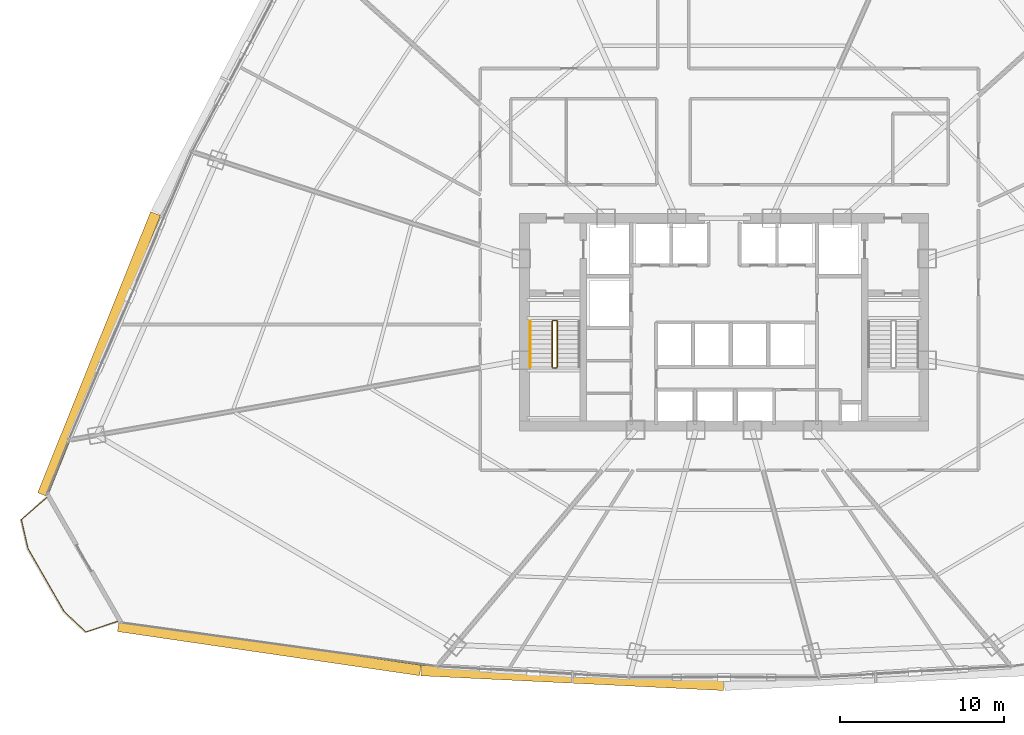
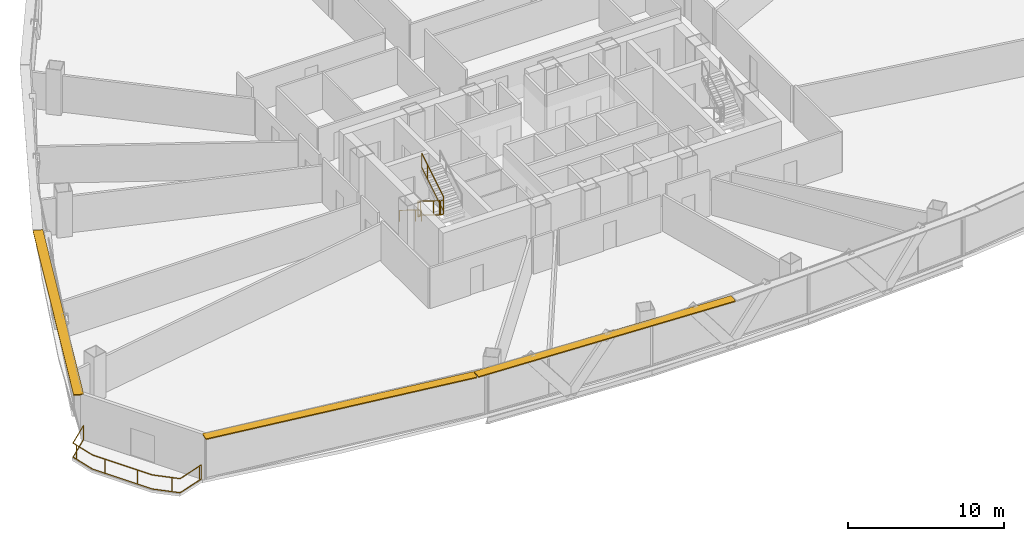
# One storey, part 33 of 36: 6 railings, 3 shading devices.
"""IFC4 building model written with IfcOpenShell, lengths in metres."""

from ifc_helpers import new_model, si_unit, direction, frame, origin, origin_2d, place, context, subcontext, project, spatial, rectangle, extrude, source, transform, mapped, material, layer, layer_set, type_object, element, save


model = new_model("IFC4")

# Units and contexts
model_context = context("Model", 3, precision=1e-05, world=origin(), true_north=direction((0.0, 1.0)))
body_context = subcontext(model_context, "Body", "Model", "MODEL_VIEW")
ifc_project = project(units=[si_unit("LENGTHUNIT", "METRE"), si_unit("AREAUNIT", "SQUARE_METRE"), si_unit("VOLUMEUNIT", "CUBIC_METRE"), si_unit("PLANEANGLEUNIT", "RADIAN"), si_unit("MASSUNIT", "GRAM", prefix="KILO"), si_unit("THERMODYNAMICTEMPERATUREUNIT", "KELVIN"), si_unit("POWERUNIT", "WATT")], contexts=[model_context])

# Site, building, storey
site_placement = place(None, origin())
site = spatial("IfcSite", under=ifc_project, at=site_placement, CompositionType="ELEMENT")
building_placement = place(site_placement, origin())
building = spatial("IfcBuilding", under=site, at=building_placement, Name="Yunzhuo Pagoda Commons", CompositionType="ELEMENT")
storey_placement = place(building_placement, frame((0.0, 0.0, 103.97998046875)))
storey = spatial("IfcBuildingStorey", under=building, at=storey_placement, Name="L26", CompositionType="ELEMENT", Elevation=103.97998046875)

# Railings
ifc_material = material(Name="Anodized aluminium 6063-T6", Category="aluminium")
railing_type_1 = type_object("IfcRailingType", Name="GR-ST1 Stair Well Guardrail 1150", PredefinedType="GUARDRAIL", material=ifc_material)
railing_1_placement = place(storey_placement, frame((37.5, 33.89990234375, 0.1728515625)))
element("IfcRailing", 1, at=railing_1_placement, inside=storey, type_object=railing_type_1, Name="L26 ST1 stair guard 1", PredefinedType="GUARDRAIL", context=body_context, shape_type="SweptSolid", body=[
    extrude(rectangle(XDim=0.048095703125, YDim=0.048095703125, at=origin_2d()), frame((0.0, 0.0, 1.1259765625), z_axis=(0.0, -0.851102337555, 0.524999820009), x_axis=(1.0, 0.0, 0.0)), (0.0, 0.0, 1.0), 3.28955078125),
    extrude(rectangle(XDim=0.048095703125, YDim=0.048095703125, at=origin_2d()), frame((0.0, 0.0, 0.02392578125), z_axis=(0.0, -0.851102337555, 0.524999820009), x_axis=(1.0, 0.0, 0.0)), (0.0, 0.0, 1.0), 3.28955078125),
    extrude(rectangle(XDim=0.0419921875, YDim=0.0419921875, at=origin_2d()), origin(), (0.0, 0.0, 1.0), 1.101806640625),
    extrude(rectangle(XDim=0.0419921875, YDim=0.0419921875, at=origin_2d()), frame((0.0, -2.042724609375, 1.260009765625)), (0.0, 0.0, 1.0), 1.101806640625),
    extrude(rectangle(XDim=0.0419921875, YDim=0.0419921875, at=origin_2d()), frame((0.0, -2.7998046875, 1.72705078125)), (0.0, 0.0, 1.0), 1.101806640625),
])
railing_2_placement = place(storey_placement, frame((37.550048828125, 31.050048828125, 1.89990234375)))
element("IfcRailing", 2, at=railing_2_placement, inside=storey, type_object=railing_type_1, Name="L26 ST1 stair guard 2", PredefinedType="GUARDRAIL", context=body_context, shape_type="SweptSolid", body=[
    extrude(rectangle(XDim=0.048095703125, YDim=0.048095703125, at=origin_2d()), frame((0.0, 0.0, 1.1259765625), z_axis=(1.0, 0.0, 0.0), x_axis=(0.0, 1.0, 0.0)), (0.0, 0.0, 1.0), 0.199951171875),
    extrude(rectangle(XDim=0.048095703125, YDim=0.048095703125, at=origin_2d()), frame((0.0, 0.0, 0.02392578125), z_axis=(1.0, 0.0, 0.0), x_axis=(0.0, 1.0, 0.0)), (0.0, 0.0, 1.0), 0.199951171875),
    extrude(rectangle(XDim=0.0419921875, YDim=0.0419921875, at=origin_2d()), origin(), (0.0, 0.0, 1.0), 1.101806640625),
    extrude(rectangle(XDim=0.0419921875, YDim=0.0419921875, at=origin_2d()), frame((0.199951171875, 0.0, 0.0)), (0.0, 0.0, 1.0), 1.101806640625),
])
railing_3_placement = place(storey_placement, frame((37.800048828125, 31.10009765625, 2.07275390625)))
element("IfcRailing", 3, at=railing_3_placement, inside=storey, type_object=railing_type_1, Name="L26 ST1 stair guard 3", PredefinedType="GUARDRAIL", context=body_context, shape_type="SweptSolid", body=[
    extrude(rectangle(XDim=0.048095703125, YDim=0.048095703125, at=origin_2d()), frame((0.0, 0.0, 1.1259765625), z_axis=(0.0, 0.851069175582, 0.525053576669), x_axis=(-1.0, 0.0, 0.0)), (0.0, 0.0, 1.0), 3.289794921875),
    extrude(rectangle(XDim=0.048095703125, YDim=0.048095703125, at=origin_2d()), frame((0.0, 0.0, 0.02392578125), z_axis=(0.0, 0.851069175582, 0.525053576669), x_axis=(-1.0, 0.0, 0.0)), (0.0, 0.0, 1.0), 3.289794921875),
    extrude(rectangle(XDim=0.0419921875, YDim=0.0419921875, at=origin_2d()), origin(), (0.0, 0.0, 1.0), 1.101806640625),
    extrude(rectangle(XDim=0.0419921875, YDim=0.0419921875, at=origin_2d()), frame((0.0, 2.04248046875, 1.260009765625)), (0.0, 0.0, 1.0), 1.101806640625),
    extrude(rectangle(XDim=0.0419921875, YDim=0.0419921875, at=origin_2d()), frame((0.0, 2.7998046875, 1.727294921875)), (0.0, 0.0, 1.0), 1.101806640625),
])
railing_4_placement = place(storey_placement, frame((37.550048828125, 33.949951171875, 0.0)))
element("IfcRailing", 4, at=railing_4_placement, inside=storey, type_object=railing_type_1, Name="L26 ST1 stair guard 4", PredefinedType="GUARDRAIL", context=body_context, shape_type="SweptSolid", body=[
    extrude(rectangle(XDim=0.048095703125, YDim=0.048095703125, at=origin_2d()), frame((0.0, 0.0, 1.1259765625), z_axis=(1.0, 0.0, 0.0), x_axis=(0.0, 1.0, 0.0)), (0.0, 0.0, 1.0), 0.199951171875),
    extrude(rectangle(XDim=0.048095703125, YDim=0.048095703125, at=origin_2d()), frame((0.0, 0.0, 0.02392578125), z_axis=(1.0, 0.0, 0.0), x_axis=(0.0, 1.0, 0.0)), (0.0, 0.0, 1.0), 0.199951171875),
    extrude(rectangle(XDim=0.0419921875, YDim=0.0419921875, at=origin_2d()), origin(), (0.0, 0.0, 1.0), 1.101806640625),
    extrude(rectangle(XDim=0.0419921875, YDim=0.0419921875, at=origin_2d()), frame((0.199951171875, 0.0, 0.0)), (0.0, 0.0, 1.0), 1.101806640625),
])
railing_type_2 = type_object("IfcRailingType", Name="HR-ST1 Stair Handrail 900", PredefinedType="HANDRAIL", material=ifc_material)
railing_5_placement = place(storey_placement, frame((36.14990234375, 33.89990234375, 0.1728515625)))
element("IfcRailing", 5, at=railing_5_placement, inside=storey, type_object=railing_type_2, Name="L26 ST1 stair handrail 1", PredefinedType="HANDRAIL", context=body_context, shape_type="SweptSolid", body=[
    extrude(rectangle(XDim=0.048095703125, YDim=0.048095703125, at=origin_2d()), frame((0.0, 0.0, 0.8759765625), z_axis=(0.0, -0.851102337555, 0.524999820009), x_axis=(1.0, 0.0, 0.0)), (0.0, 0.0, 1.0), 3.28955078125),
    extrude(rectangle(XDim=0.0419921875, YDim=0.0419921875, at=origin_2d()), origin(), (0.0, 0.0, 1.0), 0.851806640625),
    extrude(rectangle(XDim=0.0419921875, YDim=0.0419921875, at=origin_2d()), frame((0.0, -2.042724609375, 1.260009765625)), (0.0, 0.0, 1.0), 0.851806640625),
    extrude(rectangle(XDim=0.0419921875, YDim=0.0419921875, at=origin_2d()), frame((0.0, -2.7998046875, 1.72705078125)), (0.0, 0.0, 1.0), 0.851806640625),
])
railing_type_3 = type_object("IfcRailingType", Name="RL-BAL1 Exterior Terrace & Balcony Balustrade 1150", PredefinedType="BALUSTRADE", material=ifc_material)
railing_6_placement = place(storey_placement, frame((6.5947265625, 23.12548828125, 0.0)))
element("IfcRailing", 6, at=railing_6_placement, inside=storey, type_object=railing_type_3, Name="L26 corner balcony balustrade V1", PredefinedType="BALUSTRADE", context=body_context, shape_type="SweptSolid", body=[
    extrude(rectangle(XDim=0.048095703125, YDim=0.048095703125, at=origin_2d()), frame((0.0, 0.0, 1.1259765625), z_axis=(-0.753984993137, -0.656891642605, 0.0), x_axis=(0.656891642605, -0.753984993137, 0.0)), (0.0, 0.0, 1.0), 2.059326171875),
    extrude(rectangle(XDim=0.048095703125, YDim=0.048095703125, at=origin_2d()), frame((0.0, 0.0, 0.02392578125), z_axis=(-0.753984993137, -0.656891642605, 0.0), x_axis=(0.656891642605, -0.753984993137, 0.0)), (0.0, 0.0, 1.0), 2.059326171875),
    extrude(rectangle(XDim=0.048095703125, YDim=0.048095703125, at=origin_2d()), frame((-1.552734375, -1.352783203125, 1.1259765625), z_axis=(0.223732122611, -0.974650674505, 0.0), x_axis=(0.974650674505, 0.223732122611, 0.0)), (0.0, 0.0, 1.0), 1.819091796875),
    extrude(rectangle(XDim=0.048095703125, YDim=0.048095703125, at=origin_2d()), frame((-1.552734375, -1.352783203125, 0.02392578125), z_axis=(0.223732122611, -0.974650674505, 0.0), x_axis=(0.974650674505, 0.223732122611, 0.0)), (0.0, 0.0, 1.0), 1.819091796875),
    extrude(rectangle(XDim=0.048095703125, YDim=0.048095703125, at=origin_2d()), frame((-1.145751953125, -3.125732421875, 1.1259765625), z_axis=(0.497955580722, -0.867202536682, 0.0), x_axis=(0.867202536682, 0.497955580722, 0.0)), (0.0, 0.0, 1.0), 4.4404296875),
    extrude(rectangle(XDim=0.048095703125, YDim=0.048095703125, at=origin_2d()), frame((-1.145751953125, -3.125732421875, 0.02392578125), z_axis=(0.497955580722, -0.867202536682, 0.0), x_axis=(0.867202536682, 0.497955580722, 0.0)), (0.0, 0.0, 1.0), 4.4404296875),
    extrude(rectangle(XDim=0.048095703125, YDim=0.048095703125, at=origin_2d()), frame((1.0654296875, -6.9765625, 1.1259765625), z_axis=(0.728904896871, -0.684614965741, 0.0), x_axis=(0.684614965741, 0.728904896871, 0.0)), (0.0, 0.0, 1.0), 1.819091796875),
    extrude(rectangle(XDim=0.048095703125, YDim=0.048095703125, at=origin_2d()), frame((1.0654296875, -6.9765625, 0.02392578125), z_axis=(0.728904896871, -0.684614965741, 0.0), x_axis=(0.684614965741, 0.728904896871, 0.0)), (0.0, 0.0, 1.0), 1.819091796875),
    extrude(rectangle(XDim=0.048095703125, YDim=0.048095703125, at=origin_2d()), frame((2.391357421875, -8.221923828125, 1.1259765625), z_axis=(0.947431200383, 0.31995956079, 0.0), x_axis=(-0.31995956079, 0.947431200383, 0.0)), (0.0, 0.0, 1.0), 2.059326171875),
    extrude(rectangle(XDim=0.048095703125, YDim=0.048095703125, at=origin_2d()), frame((2.391357421875, -8.221923828125, 0.02392578125), z_axis=(0.947431200383, 0.31995956079, 0.0), x_axis=(-0.31995956079, 0.947431200383, 0.0)), (0.0, 0.0, 1.0), 2.059326171875),
    extrude(rectangle(XDim=0.0419921875, YDim=0.0419921875, at=origin_2d()), origin(), (0.0, 0.0, 1.0), 1.101806640625),
    extrude(rectangle(XDim=0.0419921875, YDim=0.0419921875, at=origin_2d()), frame((-1.4765625, -1.684814453125, 0.0)), (0.0, 0.0, 1.0), 1.101806640625),
    extrude(rectangle(XDim=0.0419921875, YDim=0.0419921875, at=origin_2d()), frame((-0.686767578125, -3.9248046875, 0.0)), (0.0, 0.0, 1.0), 1.101806640625),
    extrude(rectangle(XDim=0.0419921875, YDim=0.0419921875, at=origin_2d()), frame((0.50830078125, -6.006103515625, 0.0)), (0.0, 0.0, 1.0), 1.101806640625),
    extrude(rectangle(XDim=0.0419921875, YDim=0.0419921875, at=origin_2d()), frame((1.999267578125, -7.853515625, 0.0)), (0.0, 0.0, 1.0), 1.101806640625),
    extrude(rectangle(XDim=0.0419921875, YDim=0.0419921875, at=origin_2d()), frame((4.155517578125, -7.626220703125, 0.0)), (0.0, 0.0, 1.0), 1.101806640625),
    extrude(rectangle(XDim=0.0419921875, YDim=0.0419921875, at=origin_2d()), frame((4.342529296875, -7.56298828125, 0.0)), (0.0, 0.0, 1.0), 1.101806640625),
])

# Shading devices
ifc_layer = layer(ifc_material, 0.080078125)
ifc_layer_set = layer_set([ifc_layer], Name="Anodized aluminium 6063-T6")
shading_device_type = type_object("IfcShadingDeviceType", Name="SH-SUN1 Pagoda Horizontal Sunshade Eave 650", PredefinedType="USERDEFINED", material=ifc_layer_set)
shared_shape_1 = source(origin(), body_context, "Body", "SweptSolid", [
    extrude(rectangle(XDim=18.667724609375, YDim=0.64990234375, at=origin_2d()), origin(), (0.0, 0.0, 1.0), 0.080078125),
])
shading_device_1_placement = place(storey_placement, frame((20.197998046875, 13.904541015625, 3.4599609375), z_axis=(0.0, 0.0, 1.0), x_axis=(0.989510666697, -0.144459823108, 0.0)))
element("IfcShadingDevice", 7, at=shading_device_1_placement, inside=storey, type_object=shading_device_type, Name="L26 horizontal pagoda sunshade eave F1.1", ObjectType="SUNSHADE", PredefinedType="USERDEFINED", context=body_context, shape_type="MappedRepresentation", body=[
    mapped(shared_shape_1, transform((0.0, 0.0, 0.0), scale=1.0)),
])
shared_shape_2 = source(origin(), body_context, "Body", "SweptSolid", [
    extrude(rectangle(XDim=18.493408203125, YDim=0.64990234375, at=origin_2d()), origin(), (0.0, 0.0, 1.0), 0.080078125),
])
shading_device_2_placement = place(storey_placement, frame((38.732666015625, 12.1005859375, 3.4599609375), z_axis=(0.0, 0.0, 1.0), x_axis=(0.998818043775, -0.04860571396, 0.0)))
element("IfcShadingDevice", 8, at=shading_device_2_placement, inside=storey, type_object=shading_device_type, Name="L26 horizontal pagoda sunshade eave F1.2", ObjectType="SUNSHADE", PredefinedType="USERDEFINED", context=body_context, shape_type="MappedRepresentation", body=[
    mapped(shared_shape_2, transform((0.0, 0.0, 0.0), scale=1.0)),
])
shared_shape_3 = source(origin(), body_context, "Body", "SweptSolid", [
    extrude(rectangle(XDim=18.517578125, YDim=0.64990234375, at=origin_2d()), origin(), (0.0, 0.0, 1.0), 0.080078125),
])
shading_device_3_placement = place(storey_placement, frame((9.793212890625, 31.8935546875, 3.4599609375), z_axis=(0.0, 0.0, 1.0), x_axis=(-0.372987782576, -0.927836253899, 0.0)))
element("IfcShadingDevice", 9, at=shading_device_3_placement, inside=storey, type_object=shading_device_type, Name="L26 horizontal pagoda sunshade eave F3.4", ObjectType="SUNSHADE", PredefinedType="USERDEFINED", context=body_context, shape_type="MappedRepresentation", body=[
    mapped(shared_shape_3, transform((0.0, 0.0, 0.0), scale=1.0)),
])

save(model, "model.ifc")
